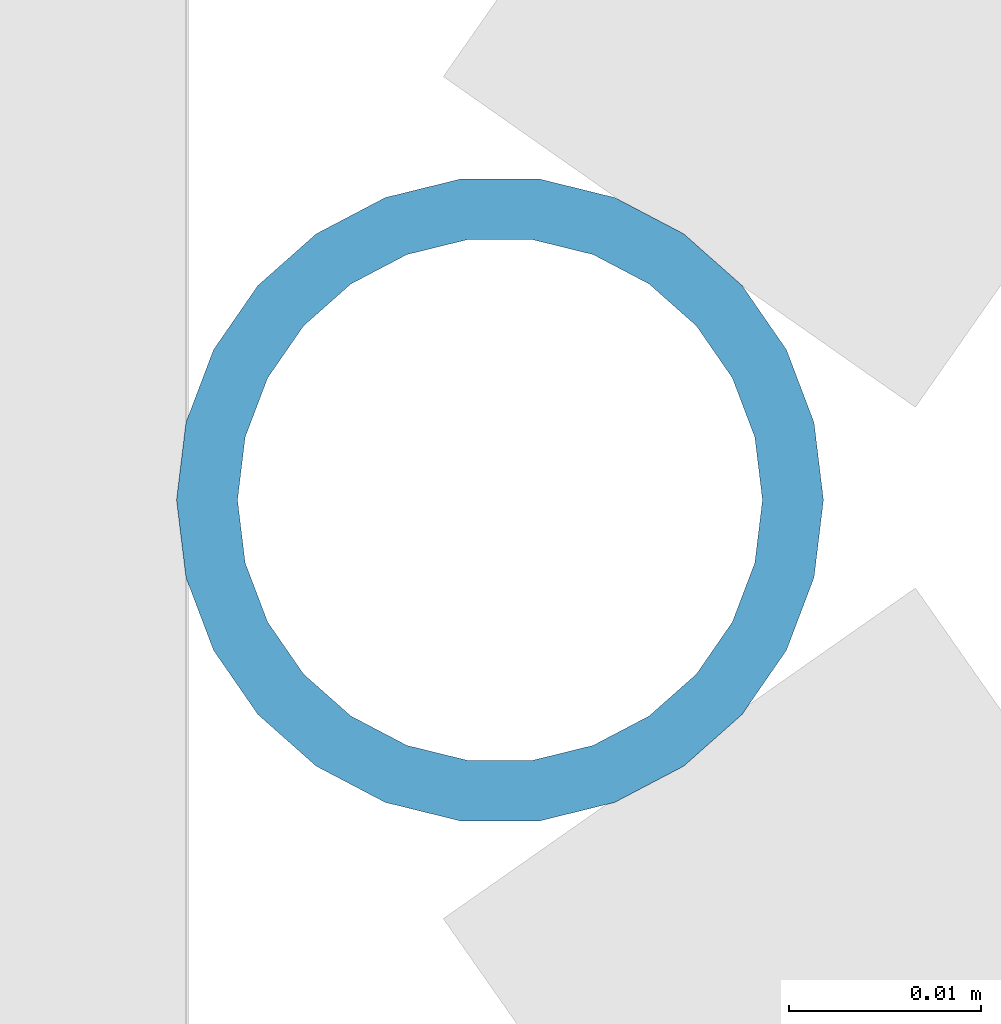
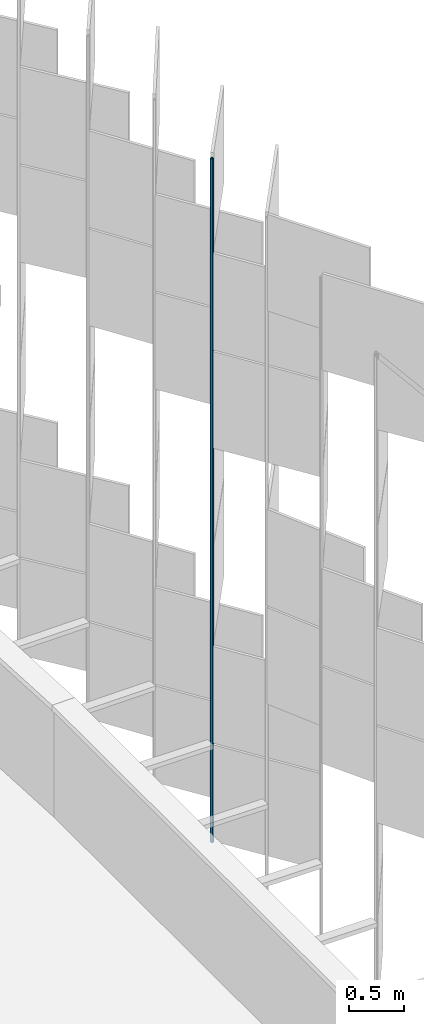
# One storey, part 285 of 483: 1 discrete accessory.
"""IFC4 building model written with IfcOpenShell, lengths in metres."""

from ifc_helpers import new_model, si_unit, direction, frame, origin, origin_2d, place, context, subcontext, project, spatial, hollow_circle, extrude, material, material_profile, profile_set, type_object, element, save


model = new_model("IFC4")

# Units and contexts
model_context = context("Model", 3, precision=1e-05, world=origin(), true_north=direction((0.0, 1.0)))
body_context = subcontext(model_context, "Body", "Model", "MODEL_VIEW")
ifc_project = project(units=[si_unit("LENGTHUNIT", "METRE"), si_unit("AREAUNIT", "SQUARE_METRE"), si_unit("VOLUMEUNIT", "CUBIC_METRE"), si_unit("PLANEANGLEUNIT", "RADIAN"), si_unit("MASSUNIT", "GRAM", prefix="KILO")], contexts=[model_context])

# Site, building, storey
site_placement = place(None, origin())
site = spatial("IfcSite", under=ifc_project, at=site_placement, CompositionType="ELEMENT")
building_placement = place(site_placement, origin())
building = spatial("IfcBuilding", under=site, at=building_placement, Name="Parallax Yard Mobility Hub", CompositionType="ELEMENT")
storey_placement = place(building_placement, frame((0.0, 0.0, 13.199951171875)))
storey = spatial("IfcBuildingStorey", under=building, at=storey_placement, Name="L04", CompositionType="ELEMENT", Elevation=13.199951171875)

# Discrete accessory
ifc_material = material(Name="Steel ASTM A500 Gr C, hot-dip galvanised", Category="steel")
ifc_material_profile = material_profile(ifc_material, hollow_circle(Radius=0.016845703125, WallThickness=0.003173828125, at=origin_2d()), Name="CHS 33.7x3.2")
ifc_profile_set = profile_set([ifc_material_profile], Name="Steel ASTM A500 Gr C, hot-dip galvanised")
discrete_accessory_type = type_object("IfcDiscreteAccessoryType", Name="Hinge post CHS 33.7x3.2", PredefinedType="BRACKET", material=ifc_profile_set)
discrete_accessory_placement = place(storey_placement, frame((225.811767578125, 88.9306640625, 0.0), z_axis=(0.0, 0.0, 1.0), x_axis=(1.0, 0.0, 0.0)))
element("IfcDiscreteAccessory", 1, at=discrete_accessory_placement, inside=storey, type_object=discrete_accessory_type, Name="Hinge post bay 40.7 level L04", PredefinedType="BRACKET", context=body_context, shape_type="SweptSolid", body=[
    extrude(hollow_circle(Radius=0.016845703125, WallThickness=0.003173828125, at=origin_2d()), origin(), (0.0, 0.0, 1.0), 7.650146484375),
])

save(model, "model.ifc")
